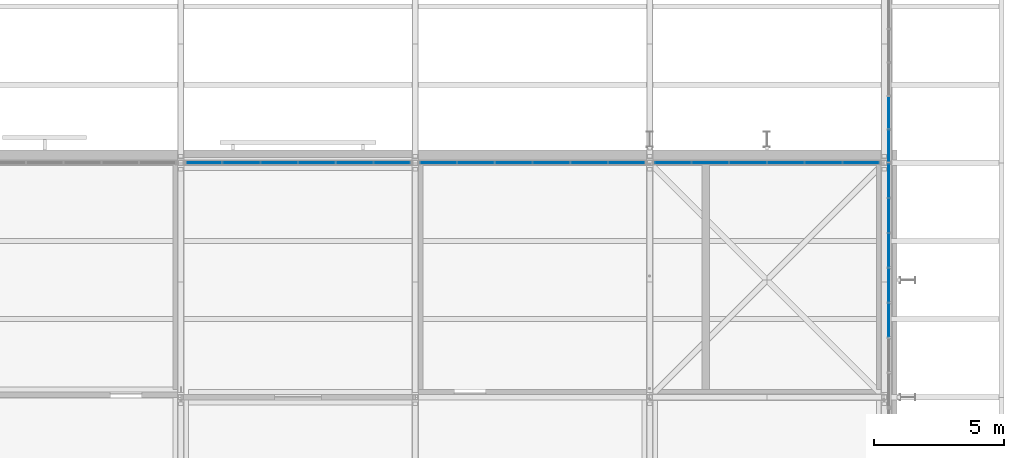
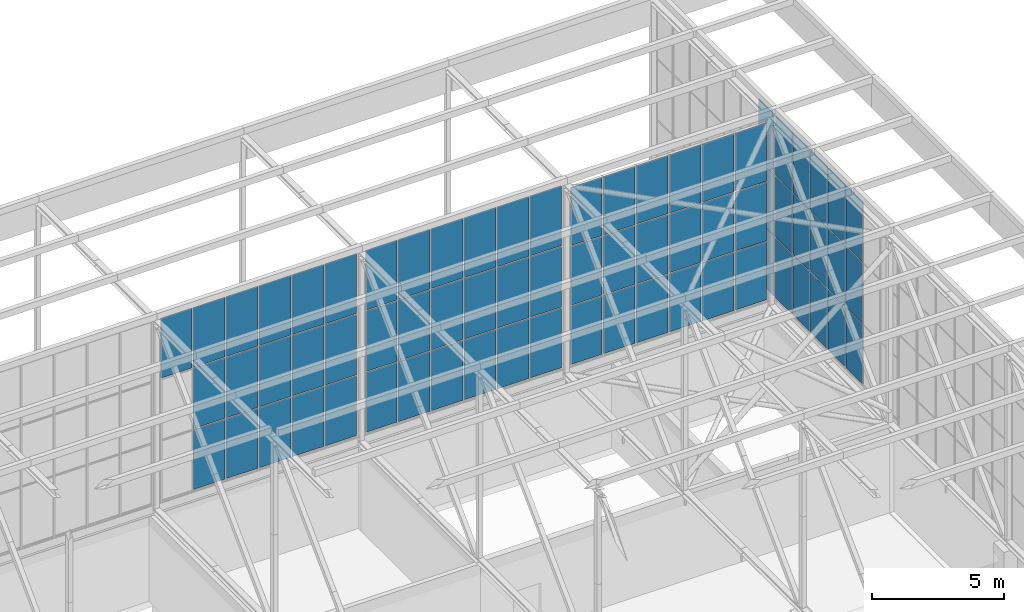
# One storey, part 163 of 646: 71 plates, 5 elements without a shape of their own.
"""IFC4 building model written with IfcOpenShell, lengths in metres."""

from ifc_helpers import new_model, si_unit, direction, frame, origin, origin_2d, place, context, subcontext, project, spatial, rectangle, extrude, material, layer, layer_set, type_object, element, aggregate, save


model = new_model("IFC4")

# Units and contexts
model_context = context("Model", 3, precision=1e-05, world=origin(), true_north=direction((0.0, 1.0)))
body_context = subcontext(model_context, "Body", "Model", "MODEL_VIEW")
ifc_project = project(units=[si_unit("LENGTHUNIT", "METRE"), si_unit("AREAUNIT", "SQUARE_METRE"), si_unit("VOLUMEUNIT", "CUBIC_METRE"), si_unit("PLANEANGLEUNIT", "RADIAN"), si_unit("MASSUNIT", "GRAM", prefix="KILO")], contexts=[model_context])

# Site, building, storey
site_placement = place(None, origin())
site = spatial("IfcSite", under=ifc_project, at=site_placement, CompositionType="ELEMENT")
building_placement = place(site_placement, origin())
building = spatial("IfcBuilding", under=site, at=building_placement, Name="Silverbay Arena", CompositionType="ELEMENT")
storey_placement = place(building_placement, frame((0.0, 0.0, 33.5)))
storey = spatial("IfcBuildingStorey", under=building, at=storey_placement, Name="L05", CompositionType="ELEMENT", Elevation=33.5)

# Curtain wall, plates
ifc_material_1 = material(Name="Aluminium framed glazing", Category="aluminium")
curtain_wall_type_1 = type_object("IfcCurtainWallType", Name="Curtain wall clerestory 8693 x 8540", PredefinedType="NOTDEFINED", material=ifc_material_1)
curtain_wall_1_placement = place(storey_placement, origin())
curtain_wall_1 = element("IfcCurtainWall", 1, at=curtain_wall_1_placement, inside=storey, type_object=curtain_wall_type_1, Name="ROOF CLERESTORY CURTAIN WALL north bay 15", PredefinedType="NOTDEFINED")
ifc_material_2 = material(Name="Laminated glass", Category="glass")
ifc_layer = layer(ifc_material_2, 0.028076171875)
ifc_layer_set = layer_set([ifc_layer], Name="Laminated glass")
plate_type = type_object("IfcPlateType", Name="Glass panel 28", PredefinedType="CURTAIN_PANEL", material=ifc_layer_set)
plate_1_placement = place(storey_placement, frame((180.89306640625, 144.0, 10.17822265625), z_axis=(0.0, 0.0, 1.0), x_axis=(1.0, 0.0, 0.0)))
plate_1 = element("IfcPlate", 2, at=plate_1_placement, type_object=plate_type, Name="CW55 panel 1.3", PredefinedType="CURTAIN_PANEL", context=body_context, shape_type="SweptSolid", body=[
    extrude(rectangle(XDim=1.35888671875, YDim=0.028076171875, at=origin_2d()), origin(), (0.0, 0.0, 1.0), 2.771728515625),
])
plate_2_placement = place(storey_placement, frame((182.326904296875, 144.0, 4.509765625), z_axis=(0.0, 0.0, 1.0), x_axis=(1.0, 0.0, 0.0)))
plate_2 = element("IfcPlate", 3, at=plate_2_placement, type_object=plate_type, Name="CW55 panel 2.1", PredefinedType="CURTAIN_PANEL", context=body_context, shape_type="SweptSolid", body=[
    extrude(rectangle(XDim=1.388671875, YDim=0.028076171875, at=origin_2d()), origin(), (0.0, 0.0, 1.0), 2.771728515625),
])
plate_3_placement = place(storey_placement, frame((182.326904296875, 144.0, 7.33154296875), z_axis=(0.0, 0.0, 1.0), x_axis=(1.0, 0.0, 0.0)))
plate_3 = element("IfcPlate", 4, at=plate_3_placement, type_object=plate_type, Name="CW55 panel 2.2", PredefinedType="CURTAIN_PANEL", context=body_context, shape_type="SweptSolid", body=[
    extrude(rectangle(XDim=1.388671875, YDim=0.028076171875, at=origin_2d()), origin(), (0.0, 0.0, 1.0), 2.796630859375),
])
plate_4_placement = place(storey_placement, frame((182.326904296875, 144.0, 10.17822265625), z_axis=(0.0, 0.0, 1.0), x_axis=(1.0, 0.0, 0.0)))
plate_4 = element("IfcPlate", 5, at=plate_4_placement, type_object=plate_type, Name="CW55 panel 2.3", PredefinedType="CURTAIN_PANEL", context=body_context, shape_type="SweptSolid", body=[
    extrude(rectangle(XDim=1.388671875, YDim=0.028076171875, at=origin_2d()), origin(), (0.0, 0.0, 1.0), 2.771728515625),
])
plate_5_placement = place(storey_placement, frame((183.775634765625, 144.0, 4.509765625), z_axis=(0.0, 0.0, 1.0), x_axis=(1.0, 0.0, 0.0)))
plate_5 = element("IfcPlate", 6, at=plate_5_placement, type_object=plate_type, Name="CW55 panel 3.1", PredefinedType="CURTAIN_PANEL", context=body_context, shape_type="SweptSolid", body=[
    extrude(rectangle(XDim=1.388671875, YDim=0.028076171875, at=origin_2d()), origin(), (0.0, 0.0, 1.0), 2.771728515625),
])
plate_6_placement = place(storey_placement, frame((183.775634765625, 144.0, 7.33154296875), z_axis=(0.0, 0.0, 1.0), x_axis=(1.0, 0.0, 0.0)))
plate_6 = element("IfcPlate", 7, at=plate_6_placement, type_object=plate_type, Name="CW55 panel 3.2", PredefinedType="CURTAIN_PANEL", context=body_context, shape_type="SweptSolid", body=[
    extrude(rectangle(XDim=1.388671875, YDim=0.028076171875, at=origin_2d()), origin(), (0.0, 0.0, 1.0), 2.796630859375),
])
plate_7_placement = place(storey_placement, frame((183.775634765625, 144.0, 10.17822265625), z_axis=(0.0, 0.0, 1.0), x_axis=(1.0, 0.0, 0.0)))
plate_7 = element("IfcPlate", 8, at=plate_7_placement, type_object=plate_type, Name="CW55 panel 3.3", PredefinedType="CURTAIN_PANEL", context=body_context, shape_type="SweptSolid", body=[
    extrude(rectangle(XDim=1.388671875, YDim=0.028076171875, at=origin_2d()), origin(), (0.0, 0.0, 1.0), 2.771728515625),
])
plate_8_placement = place(storey_placement, frame((185.224365234375, 144.0, 4.509765625), z_axis=(0.0, 0.0, 1.0), x_axis=(1.0, 0.0, 0.0)))
plate_8 = element("IfcPlate", 9, at=plate_8_placement, type_object=plate_type, Name="CW55 panel 4.1", PredefinedType="CURTAIN_PANEL", context=body_context, shape_type="SweptSolid", body=[
    extrude(rectangle(XDim=1.388671875, YDim=0.028076171875, at=origin_2d()), origin(), (0.0, 0.0, 1.0), 2.771728515625),
])
plate_9_placement = place(storey_placement, frame((185.224365234375, 144.0, 7.33154296875), z_axis=(0.0, 0.0, 1.0), x_axis=(1.0, 0.0, 0.0)))
plate_9 = element("IfcPlate", 10, at=plate_9_placement, type_object=plate_type, Name="CW55 panel 4.2", PredefinedType="CURTAIN_PANEL", context=body_context, shape_type="SweptSolid", body=[
    extrude(rectangle(XDim=1.388671875, YDim=0.028076171875, at=origin_2d()), origin(), (0.0, 0.0, 1.0), 2.796630859375),
])
plate_10_placement = place(storey_placement, frame((185.224365234375, 144.0, 10.17822265625), z_axis=(0.0, 0.0, 1.0), x_axis=(1.0, 0.0, 0.0)))
plate_10 = element("IfcPlate", 11, at=plate_10_placement, type_object=plate_type, Name="CW55 panel 4.3", PredefinedType="CURTAIN_PANEL", context=body_context, shape_type="SweptSolid", body=[
    extrude(rectangle(XDim=1.388671875, YDim=0.028076171875, at=origin_2d()), origin(), (0.0, 0.0, 1.0), 2.771728515625),
])
plate_11_placement = place(storey_placement, frame((186.673095703125, 144.0, 4.509765625), z_axis=(0.0, 0.0, 1.0), x_axis=(1.0, 0.0, 0.0)))
plate_11 = element("IfcPlate", 12, at=plate_11_placement, type_object=plate_type, Name="CW55 panel 5.1", PredefinedType="CURTAIN_PANEL", context=body_context, shape_type="SweptSolid", body=[
    extrude(rectangle(XDim=1.388671875, YDim=0.028076171875, at=origin_2d()), origin(), (0.0, 0.0, 1.0), 2.771728515625),
])
plate_12_placement = place(storey_placement, frame((186.673095703125, 144.0, 7.33154296875), z_axis=(0.0, 0.0, 1.0), x_axis=(1.0, 0.0, 0.0)))
plate_12 = element("IfcPlate", 13, at=plate_12_placement, type_object=plate_type, Name="CW55 panel 5.2", PredefinedType="CURTAIN_PANEL", context=body_context, shape_type="SweptSolid", body=[
    extrude(rectangle(XDim=1.388671875, YDim=0.028076171875, at=origin_2d()), origin(), (0.0, 0.0, 1.0), 2.796630859375),
])
plate_13_placement = place(storey_placement, frame((186.673095703125, 144.0, 10.17822265625), z_axis=(0.0, 0.0, 1.0), x_axis=(1.0, 0.0, 0.0)))
plate_13 = element("IfcPlate", 14, at=plate_13_placement, type_object=plate_type, Name="CW55 panel 5.3", PredefinedType="CURTAIN_PANEL", context=body_context, shape_type="SweptSolid", body=[
    extrude(rectangle(XDim=1.388671875, YDim=0.028076171875, at=origin_2d()), origin(), (0.0, 0.0, 1.0), 2.771728515625),
])
plate_14_placement = place(storey_placement, frame((188.10693359375, 144.0, 4.509765625), z_axis=(0.0, 0.0, 1.0), x_axis=(1.0, 0.0, 0.0)))
plate_14 = element("IfcPlate", 15, at=plate_14_placement, type_object=plate_type, Name="CW55 panel 6.1", PredefinedType="CURTAIN_PANEL", context=body_context, shape_type="SweptSolid", body=[
    extrude(rectangle(XDim=1.35888671875, YDim=0.028076171875, at=origin_2d()), origin(), (0.0, 0.0, 1.0), 2.771728515625),
])
plate_15_placement = place(storey_placement, frame((188.10693359375, 144.0, 7.33154296875), z_axis=(0.0, 0.0, 1.0), x_axis=(1.0, 0.0, 0.0)))
plate_15 = element("IfcPlate", 16, at=plate_15_placement, type_object=plate_type, Name="CW55 panel 6.2", PredefinedType="CURTAIN_PANEL", context=body_context, shape_type="SweptSolid", body=[
    extrude(rectangle(XDim=1.35888671875, YDim=0.028076171875, at=origin_2d()), origin(), (0.0, 0.0, 1.0), 2.796630859375),
])
plate_16_placement = place(storey_placement, frame((188.10693359375, 144.0, 10.17822265625), z_axis=(0.0, 0.0, 1.0), x_axis=(1.0, 0.0, 0.0)))
plate_16 = element("IfcPlate", 17, at=plate_16_placement, type_object=plate_type, Name="CW55 panel 6.3", PredefinedType="CURTAIN_PANEL", context=body_context, shape_type="SweptSolid", body=[
    extrude(rectangle(XDim=1.35888671875, YDim=0.028076171875, at=origin_2d()), origin(), (0.0, 0.0, 1.0), 2.771728515625),
])
aggregate(curtain_wall_1, [plate_1, plate_2, plate_3, plate_4, plate_5, plate_6, plate_7, plate_8, plate_9, plate_10, plate_11, plate_12, plate_13, plate_14, plate_15, plate_16])

curtain_wall_2_placement = place(storey_placement, origin())
curtain_wall_2 = element("IfcCurtainWall", 18, at=curtain_wall_2_placement, inside=storey, type_object=curtain_wall_type_1, Name="ROOF CLERESTORY CURTAIN WALL north bay 16", PredefinedType="NOTDEFINED")
plate_17_placement = place(storey_placement, frame((189.89306640625, 144.0, 4.509765625), z_axis=(0.0, 0.0, 1.0), x_axis=(1.0, 0.0, 0.0)))
plate_17 = element("IfcPlate", 19, at=plate_17_placement, type_object=plate_type, Name="CW55 panel 1.1", PredefinedType="CURTAIN_PANEL", context=body_context, shape_type="SweptSolid", body=[
    extrude(rectangle(XDim=1.35888671875, YDim=0.028076171875, at=origin_2d()), origin(), (0.0, 0.0, 1.0), 2.771728515625),
])
plate_18_placement = place(storey_placement, frame((189.89306640625, 144.0, 7.33154296875), z_axis=(0.0, 0.0, 1.0), x_axis=(1.0, 0.0, 0.0)))
plate_18 = element("IfcPlate", 20, at=plate_18_placement, type_object=plate_type, Name="CW55 panel 1.2", PredefinedType="CURTAIN_PANEL", context=body_context, shape_type="SweptSolid", body=[
    extrude(rectangle(XDim=1.35888671875, YDim=0.028076171875, at=origin_2d()), origin(), (0.0, 0.0, 1.0), 2.796630859375),
])
plate_19_placement = place(storey_placement, frame((189.89306640625, 144.0, 10.17822265625), z_axis=(0.0, 0.0, 1.0), x_axis=(1.0, 0.0, 0.0)))
plate_19 = element("IfcPlate", 21, at=plate_19_placement, type_object=plate_type, Name="CW55 panel 1.3", PredefinedType="CURTAIN_PANEL", context=body_context, shape_type="SweptSolid", body=[
    extrude(rectangle(XDim=1.35888671875, YDim=0.028076171875, at=origin_2d()), origin(), (0.0, 0.0, 1.0), 2.771728515625),
])
plate_20_placement = place(storey_placement, frame((191.326904296875, 144.0, 4.509765625), z_axis=(0.0, 0.0, 1.0), x_axis=(1.0, 0.0, 0.0)))
plate_20 = element("IfcPlate", 22, at=plate_20_placement, type_object=plate_type, Name="CW55 panel 2.1", PredefinedType="CURTAIN_PANEL", context=body_context, shape_type="SweptSolid", body=[
    extrude(rectangle(XDim=1.388671875, YDim=0.028076171875, at=origin_2d()), origin(), (0.0, 0.0, 1.0), 2.771728515625),
])
plate_21_placement = place(storey_placement, frame((191.326904296875, 144.0, 7.33154296875), z_axis=(0.0, 0.0, 1.0), x_axis=(1.0, 0.0, 0.0)))
plate_21 = element("IfcPlate", 23, at=plate_21_placement, type_object=plate_type, Name="CW55 panel 2.2", PredefinedType="CURTAIN_PANEL", context=body_context, shape_type="SweptSolid", body=[
    extrude(rectangle(XDim=1.388671875, YDim=0.028076171875, at=origin_2d()), origin(), (0.0, 0.0, 1.0), 2.796630859375),
])
plate_22_placement = place(storey_placement, frame((191.326904296875, 144.0, 10.17822265625), z_axis=(0.0, 0.0, 1.0), x_axis=(1.0, 0.0, 0.0)))
plate_22 = element("IfcPlate", 24, at=plate_22_placement, type_object=plate_type, Name="CW55 panel 2.3", PredefinedType="CURTAIN_PANEL", context=body_context, shape_type="SweptSolid", body=[
    extrude(rectangle(XDim=1.388671875, YDim=0.028076171875, at=origin_2d()), origin(), (0.0, 0.0, 1.0), 2.771728515625),
])
plate_23_placement = place(storey_placement, frame((192.775634765625, 144.0, 4.509765625), z_axis=(0.0, 0.0, 1.0), x_axis=(1.0, 0.0, 0.0)))
plate_23 = element("IfcPlate", 25, at=plate_23_placement, type_object=plate_type, Name="CW55 panel 3.1", PredefinedType="CURTAIN_PANEL", context=body_context, shape_type="SweptSolid", body=[
    extrude(rectangle(XDim=1.388671875, YDim=0.028076171875, at=origin_2d()), origin(), (0.0, 0.0, 1.0), 2.771728515625),
])
plate_24_placement = place(storey_placement, frame((192.775634765625, 144.0, 7.33154296875), z_axis=(0.0, 0.0, 1.0), x_axis=(1.0, 0.0, 0.0)))
plate_24 = element("IfcPlate", 26, at=plate_24_placement, type_object=plate_type, Name="CW55 panel 3.2", PredefinedType="CURTAIN_PANEL", context=body_context, shape_type="SweptSolid", body=[
    extrude(rectangle(XDim=1.388671875, YDim=0.028076171875, at=origin_2d()), origin(), (0.0, 0.0, 1.0), 2.796630859375),
])
plate_25_placement = place(storey_placement, frame((192.775634765625, 144.0, 10.17822265625), z_axis=(0.0, 0.0, 1.0), x_axis=(1.0, 0.0, 0.0)))
plate_25 = element("IfcPlate", 27, at=plate_25_placement, type_object=plate_type, Name="CW55 panel 3.3", PredefinedType="CURTAIN_PANEL", context=body_context, shape_type="SweptSolid", body=[
    extrude(rectangle(XDim=1.388671875, YDim=0.028076171875, at=origin_2d()), origin(), (0.0, 0.0, 1.0), 2.771728515625),
])
plate_26_placement = place(storey_placement, frame((194.224365234375, 144.0, 4.509765625), z_axis=(0.0, 0.0, 1.0), x_axis=(1.0, 0.0, 0.0)))
plate_26 = element("IfcPlate", 28, at=plate_26_placement, type_object=plate_type, Name="CW55 panel 4.1", PredefinedType="CURTAIN_PANEL", context=body_context, shape_type="SweptSolid", body=[
    extrude(rectangle(XDim=1.388671875, YDim=0.028076171875, at=origin_2d()), origin(), (0.0, 0.0, 1.0), 2.771728515625),
])
plate_27_placement = place(storey_placement, frame((194.224365234375, 144.0, 7.33154296875), z_axis=(0.0, 0.0, 1.0), x_axis=(1.0, 0.0, 0.0)))
plate_27 = element("IfcPlate", 29, at=plate_27_placement, type_object=plate_type, Name="CW55 panel 4.2", PredefinedType="CURTAIN_PANEL", context=body_context, shape_type="SweptSolid", body=[
    extrude(rectangle(XDim=1.388671875, YDim=0.028076171875, at=origin_2d()), origin(), (0.0, 0.0, 1.0), 2.796630859375),
])
plate_28_placement = place(storey_placement, frame((194.224365234375, 144.0, 10.17822265625), z_axis=(0.0, 0.0, 1.0), x_axis=(1.0, 0.0, 0.0)))
plate_28 = element("IfcPlate", 30, at=plate_28_placement, type_object=plate_type, Name="CW55 panel 4.3", PredefinedType="CURTAIN_PANEL", context=body_context, shape_type="SweptSolid", body=[
    extrude(rectangle(XDim=1.388671875, YDim=0.028076171875, at=origin_2d()), origin(), (0.0, 0.0, 1.0), 2.771728515625),
])
plate_29_placement = place(storey_placement, frame((195.673095703125, 144.0, 4.509765625), z_axis=(0.0, 0.0, 1.0), x_axis=(1.0, 0.0, 0.0)))
plate_29 = element("IfcPlate", 31, at=plate_29_placement, type_object=plate_type, Name="CW55 panel 5.1", PredefinedType="CURTAIN_PANEL", context=body_context, shape_type="SweptSolid", body=[
    extrude(rectangle(XDim=1.388671875, YDim=0.028076171875, at=origin_2d()), origin(), (0.0, 0.0, 1.0), 2.771728515625),
])
plate_30_placement = place(storey_placement, frame((195.673095703125, 144.0, 7.33154296875), z_axis=(0.0, 0.0, 1.0), x_axis=(1.0, 0.0, 0.0)))
plate_30 = element("IfcPlate", 32, at=plate_30_placement, type_object=plate_type, Name="CW55 panel 5.2", PredefinedType="CURTAIN_PANEL", context=body_context, shape_type="SweptSolid", body=[
    extrude(rectangle(XDim=1.388671875, YDim=0.028076171875, at=origin_2d()), origin(), (0.0, 0.0, 1.0), 2.796630859375),
])
plate_31_placement = place(storey_placement, frame((195.673095703125, 144.0, 10.17822265625), z_axis=(0.0, 0.0, 1.0), x_axis=(1.0, 0.0, 0.0)))
plate_31 = element("IfcPlate", 33, at=plate_31_placement, type_object=plate_type, Name="CW55 panel 5.3", PredefinedType="CURTAIN_PANEL", context=body_context, shape_type="SweptSolid", body=[
    extrude(rectangle(XDim=1.388671875, YDim=0.028076171875, at=origin_2d()), origin(), (0.0, 0.0, 1.0), 2.771728515625),
])
plate_32_placement = place(storey_placement, frame((197.10693359375, 144.0, 4.509765625), z_axis=(0.0, 0.0, 1.0), x_axis=(1.0, 0.0, 0.0)))
plate_32 = element("IfcPlate", 34, at=plate_32_placement, type_object=plate_type, Name="CW55 panel 6.1", PredefinedType="CURTAIN_PANEL", context=body_context, shape_type="SweptSolid", body=[
    extrude(rectangle(XDim=1.35888671875, YDim=0.028076171875, at=origin_2d()), origin(), (0.0, 0.0, 1.0), 2.771728515625),
])
plate_33_placement = place(storey_placement, frame((197.10693359375, 144.0, 7.33154296875), z_axis=(0.0, 0.0, 1.0), x_axis=(1.0, 0.0, 0.0)))
plate_33 = element("IfcPlate", 35, at=plate_33_placement, type_object=plate_type, Name="CW55 panel 6.2", PredefinedType="CURTAIN_PANEL", context=body_context, shape_type="SweptSolid", body=[
    extrude(rectangle(XDim=1.35888671875, YDim=0.028076171875, at=origin_2d()), origin(), (0.0, 0.0, 1.0), 2.796630859375),
])
plate_34_placement = place(storey_placement, frame((197.10693359375, 144.0, 10.17822265625), z_axis=(0.0, 0.0, 1.0), x_axis=(1.0, 0.0, 0.0)))
plate_34 = element("IfcPlate", 36, at=plate_34_placement, type_object=plate_type, Name="CW55 panel 6.3", PredefinedType="CURTAIN_PANEL", context=body_context, shape_type="SweptSolid", body=[
    extrude(rectangle(XDim=1.35888671875, YDim=0.028076171875, at=origin_2d()), origin(), (0.0, 0.0, 1.0), 2.771728515625),
])
aggregate(curtain_wall_2, [plate_17, plate_18, plate_19, plate_20, plate_21, plate_22, plate_23, plate_24, plate_25, plate_26, plate_27, plate_28, plate_29, plate_30, plate_31, plate_32, plate_33, plate_34])

ifc_material_3 = material(Name="Aluminium framed glazing", Category="aluminium")
curtain_wall_type_2 = type_object("IfcCurtainWallType", Name="Curtain wall clerestory 8693 x 8303", PredefinedType="NOTDEFINED", material=ifc_material_3)
curtain_wall_3_placement = place(storey_placement, origin())
curtain_wall_3 = element("IfcCurtainWall", 37, at=curtain_wall_3_placement, inside=storey, type_object=curtain_wall_type_2, Name="ROOF CLERESTORY CURTAIN WALL north bay 17", PredefinedType="NOTDEFINED")
plate_35_placement = place(storey_placement, frame((198.89306640625, 144.0, 4.510009765625), z_axis=(0.0, 0.0, 1.0), x_axis=(1.0, 0.0, 0.0)))
plate_35 = element("IfcPlate", 38, at=plate_35_placement, type_object=plate_type, Name="CW54 panel 1.1", PredefinedType="CURTAIN_PANEL", context=body_context, shape_type="SweptSolid", body=[
    extrude(rectangle(XDim=1.35888671875, YDim=0.028076171875, at=origin_2d()), origin(), (0.0, 0.0, 1.0), 2.69287109375),
])
plate_36_placement = place(storey_placement, frame((198.89306640625, 144.0, 7.2529296875), z_axis=(0.0, 0.0, 1.0), x_axis=(1.0, 0.0, 0.0)))
plate_36 = element("IfcPlate", 39, at=plate_36_placement, type_object=plate_type, Name="CW54 panel 1.2", PredefinedType="CURTAIN_PANEL", context=body_context, shape_type="SweptSolid", body=[
    extrude(rectangle(XDim=1.35888671875, YDim=0.028076171875, at=origin_2d()), origin(), (0.0, 0.0, 1.0), 2.7177734375),
])
plate_37_placement = place(storey_placement, frame((198.89306640625, 144.0, 10.0205078125), z_axis=(0.0, 0.0, 1.0), x_axis=(1.0, 0.0, 0.0)))
plate_37 = element("IfcPlate", 40, at=plate_37_placement, type_object=plate_type, Name="CW54 panel 1.3", PredefinedType="CURTAIN_PANEL", context=body_context, shape_type="SweptSolid", body=[
    extrude(rectangle(XDim=1.35888671875, YDim=0.028076171875, at=origin_2d()), origin(), (0.0, 0.0, 1.0), 2.69287109375),
])
plate_38_placement = place(storey_placement, frame((200.326904296875, 144.0, 4.510009765625), z_axis=(0.0, 0.0, 1.0), x_axis=(1.0, 0.0, 0.0)))
plate_38 = element("IfcPlate", 41, at=plate_38_placement, type_object=plate_type, Name="CW54 panel 2.1", PredefinedType="CURTAIN_PANEL", context=body_context, shape_type="SweptSolid", body=[
    extrude(rectangle(XDim=1.388671875, YDim=0.028076171875, at=origin_2d()), origin(), (0.0, 0.0, 1.0), 2.69287109375),
])
plate_39_placement = place(storey_placement, frame((200.326904296875, 144.0, 7.2529296875), z_axis=(0.0, 0.0, 1.0), x_axis=(1.0, 0.0, 0.0)))
plate_39 = element("IfcPlate", 42, at=plate_39_placement, type_object=plate_type, Name="CW54 panel 2.2", PredefinedType="CURTAIN_PANEL", context=body_context, shape_type="SweptSolid", body=[
    extrude(rectangle(XDim=1.388671875, YDim=0.028076171875, at=origin_2d()), origin(), (0.0, 0.0, 1.0), 2.7177734375),
])
plate_40_placement = place(storey_placement, frame((200.326904296875, 144.0, 10.0205078125), z_axis=(0.0, 0.0, 1.0), x_axis=(1.0, 0.0, 0.0)))
plate_40 = element("IfcPlate", 43, at=plate_40_placement, type_object=plate_type, Name="CW54 panel 2.3", PredefinedType="CURTAIN_PANEL", context=body_context, shape_type="SweptSolid", body=[
    extrude(rectangle(XDim=1.388671875, YDim=0.028076171875, at=origin_2d()), origin(), (0.0, 0.0, 1.0), 2.69287109375),
])
plate_41_placement = place(storey_placement, frame((201.775634765625, 144.0, 4.510009765625), z_axis=(0.0, 0.0, 1.0), x_axis=(1.0, 0.0, 0.0)))
plate_41 = element("IfcPlate", 44, at=plate_41_placement, type_object=plate_type, Name="CW54 panel 3.1", PredefinedType="CURTAIN_PANEL", context=body_context, shape_type="SweptSolid", body=[
    extrude(rectangle(XDim=1.388671875, YDim=0.028076171875, at=origin_2d()), origin(), (0.0, 0.0, 1.0), 2.69287109375),
])
plate_42_placement = place(storey_placement, frame((201.775634765625, 144.0, 7.2529296875), z_axis=(0.0, 0.0, 1.0), x_axis=(1.0, 0.0, 0.0)))
plate_42 = element("IfcPlate", 45, at=plate_42_placement, type_object=plate_type, Name="CW54 panel 3.2", PredefinedType="CURTAIN_PANEL", context=body_context, shape_type="SweptSolid", body=[
    extrude(rectangle(XDim=1.388671875, YDim=0.028076171875, at=origin_2d()), origin(), (0.0, 0.0, 1.0), 2.7177734375),
])
plate_43_placement = place(storey_placement, frame((201.775634765625, 144.0, 10.0205078125), z_axis=(0.0, 0.0, 1.0), x_axis=(1.0, 0.0, 0.0)))
plate_43 = element("IfcPlate", 46, at=plate_43_placement, type_object=plate_type, Name="CW54 panel 3.3", PredefinedType="CURTAIN_PANEL", context=body_context, shape_type="SweptSolid", body=[
    extrude(rectangle(XDim=1.388671875, YDim=0.028076171875, at=origin_2d()), origin(), (0.0, 0.0, 1.0), 2.69287109375),
])
plate_44_placement = place(storey_placement, frame((203.224365234375, 144.0, 4.510009765625), z_axis=(0.0, 0.0, 1.0), x_axis=(1.0, 0.0, 0.0)))
plate_44 = element("IfcPlate", 47, at=plate_44_placement, type_object=plate_type, Name="CW54 panel 4.1", PredefinedType="CURTAIN_PANEL", context=body_context, shape_type="SweptSolid", body=[
    extrude(rectangle(XDim=1.388671875, YDim=0.028076171875, at=origin_2d()), origin(), (0.0, 0.0, 1.0), 2.69287109375),
])
plate_45_placement = place(storey_placement, frame((203.224365234375, 144.0, 7.2529296875), z_axis=(0.0, 0.0, 1.0), x_axis=(1.0, 0.0, 0.0)))
plate_45 = element("IfcPlate", 48, at=plate_45_placement, type_object=plate_type, Name="CW54 panel 4.2", PredefinedType="CURTAIN_PANEL", context=body_context, shape_type="SweptSolid", body=[
    extrude(rectangle(XDim=1.388671875, YDim=0.028076171875, at=origin_2d()), origin(), (0.0, 0.0, 1.0), 2.7177734375),
])
plate_46_placement = place(storey_placement, frame((203.224365234375, 144.0, 10.0205078125), z_axis=(0.0, 0.0, 1.0), x_axis=(1.0, 0.0, 0.0)))
plate_46 = element("IfcPlate", 49, at=plate_46_placement, type_object=plate_type, Name="CW54 panel 4.3", PredefinedType="CURTAIN_PANEL", context=body_context, shape_type="SweptSolid", body=[
    extrude(rectangle(XDim=1.388671875, YDim=0.028076171875, at=origin_2d()), origin(), (0.0, 0.0, 1.0), 2.69287109375),
])
plate_47_placement = place(storey_placement, frame((204.673095703125, 144.0, 4.510009765625), z_axis=(0.0, 0.0, 1.0), x_axis=(1.0, 0.0, 0.0)))
plate_47 = element("IfcPlate", 50, at=plate_47_placement, type_object=plate_type, Name="CW54 panel 5.1", PredefinedType="CURTAIN_PANEL", context=body_context, shape_type="SweptSolid", body=[
    extrude(rectangle(XDim=1.388671875, YDim=0.028076171875, at=origin_2d()), origin(), (0.0, 0.0, 1.0), 2.69287109375),
])
plate_48_placement = place(storey_placement, frame((204.673095703125, 144.0, 7.2529296875), z_axis=(0.0, 0.0, 1.0), x_axis=(1.0, 0.0, 0.0)))
plate_48 = element("IfcPlate", 51, at=plate_48_placement, type_object=plate_type, Name="CW54 panel 5.2", PredefinedType="CURTAIN_PANEL", context=body_context, shape_type="SweptSolid", body=[
    extrude(rectangle(XDim=1.388671875, YDim=0.028076171875, at=origin_2d()), origin(), (0.0, 0.0, 1.0), 2.7177734375),
])
plate_49_placement = place(storey_placement, frame((204.673095703125, 144.0, 10.0205078125), z_axis=(0.0, 0.0, 1.0), x_axis=(1.0, 0.0, 0.0)))
plate_49 = element("IfcPlate", 52, at=plate_49_placement, type_object=plate_type, Name="CW54 panel 5.3", PredefinedType="CURTAIN_PANEL", context=body_context, shape_type="SweptSolid", body=[
    extrude(rectangle(XDim=1.388671875, YDim=0.028076171875, at=origin_2d()), origin(), (0.0, 0.0, 1.0), 2.69287109375),
])
plate_50_placement = place(storey_placement, frame((206.10693359375, 144.0, 4.510009765625), z_axis=(0.0, 0.0, 1.0), x_axis=(1.0, 0.0, 0.0)))
plate_50 = element("IfcPlate", 53, at=plate_50_placement, type_object=plate_type, Name="CW54 panel 6.1", PredefinedType="CURTAIN_PANEL", context=body_context, shape_type="SweptSolid", body=[
    extrude(rectangle(XDim=1.35888671875, YDim=0.028076171875, at=origin_2d()), origin(), (0.0, 0.0, 1.0), 2.69287109375),
])
plate_51_placement = place(storey_placement, frame((206.10693359375, 144.0, 7.2529296875), z_axis=(0.0, 0.0, 1.0), x_axis=(1.0, 0.0, 0.0)))
plate_51 = element("IfcPlate", 54, at=plate_51_placement, type_object=plate_type, Name="CW54 panel 6.2", PredefinedType="CURTAIN_PANEL", context=body_context, shape_type="SweptSolid", body=[
    extrude(rectangle(XDim=1.35888671875, YDim=0.028076171875, at=origin_2d()), origin(), (0.0, 0.0, 1.0), 2.7177734375),
])
plate_52_placement = place(storey_placement, frame((206.10693359375, 144.0, 10.0205078125), z_axis=(0.0, 0.0, 1.0), x_axis=(1.0, 0.0, 0.0)))
plate_52 = element("IfcPlate", 55, at=plate_52_placement, type_object=plate_type, Name="CW54 panel 6.3", PredefinedType="CURTAIN_PANEL", context=body_context, shape_type="SweptSolid", body=[
    extrude(rectangle(XDim=1.35888671875, YDim=0.028076171875, at=origin_2d()), origin(), (0.0, 0.0, 1.0), 2.69287109375),
])
aggregate(curtain_wall_3, [plate_35, plate_36, plate_37, plate_38, plate_39, plate_40, plate_41, plate_42, plate_43, plate_44, plate_45, plate_46, plate_47, plate_48, plate_49, plate_50, plate_51, plate_52])

ifc_material_4 = material(Name="Aluminium framed glazing", Category="aluminium")
curtain_wall_type_3 = type_object("IfcCurtainWallType", Name="Curtain wall clerestory 9400 x 8547", PredefinedType="NOTDEFINED", material=ifc_material_4)
curtain_wall_4_placement = place(storey_placement, origin())
curtain_wall_4 = element("IfcCurtainWall", 56, at=curtain_wall_4_placement, inside=storey, type_object=curtain_wall_type_3, Name="ROOF GABLE CLERESTORY CURTAIN WALL east bay 15", PredefinedType="NOTDEFINED")
plate_53_placement = place(storey_placement, frame((207.179931640625, 137.95703125, 4.50341796875), z_axis=(0.0, 0.0, 1.0), x_axis=(0.0, 1.0, 0.0)))
plate_53 = element("IfcPlate", 57, at=plate_53_placement, type_object=plate_type, Name="CW58 panel 3.1", PredefinedType="CURTAIN_PANEL", context=body_context, shape_type="SweptSolid", body=[
    extrude(rectangle(XDim=1.282958984375, YDim=0.028076171875, at=origin_2d()), origin(), (0.0, 0.0, 1.0), 2.77392578125),
])
plate_54_placement = place(storey_placement, frame((207.179931640625, 137.95703125, 7.327392578125), z_axis=(0.0, 0.0, 1.0), x_axis=(0.0, 1.0, 0.0)))
plate_54 = element("IfcPlate", 58, at=plate_54_placement, type_object=plate_type, Name="CW58 panel 3.2", PredefinedType="CURTAIN_PANEL", context=body_context, shape_type="SweptSolid", body=[
    extrude(rectangle(XDim=1.282958984375, YDim=0.028076171875, at=origin_2d()), origin(), (0.0, 0.0, 1.0), 2.798828125),
])
plate_55_placement = place(storey_placement, frame((207.179931640625, 137.95703125, 10.176025390625), z_axis=(0.0, 0.0, 1.0), x_axis=(0.0, 1.0, 0.0)))
plate_55 = element("IfcPlate", 59, at=plate_55_placement, type_object=plate_type, Name="CW58 panel 3.3", PredefinedType="CURTAIN_PANEL", context=body_context, shape_type="SweptSolid", body=[
    extrude(rectangle(XDim=1.282958984375, YDim=0.028076171875, at=origin_2d()), origin(), (0.0, 0.0, 1.0), 2.77392578125),
])
plate_56_placement = place(storey_placement, frame((207.179931640625, 139.300048828125, 4.50341796875), z_axis=(0.0, 0.0, 1.0), x_axis=(0.0, 1.0, 0.0)))
plate_56 = element("IfcPlate", 60, at=plate_56_placement, type_object=plate_type, Name="CW58 panel 4.1", PredefinedType="CURTAIN_PANEL", context=body_context, shape_type="SweptSolid", body=[
    extrude(rectangle(XDim=1.282958984375, YDim=0.028076171875, at=origin_2d()), origin(), (0.0, 0.0, 1.0), 2.77392578125),
])
plate_57_placement = place(storey_placement, frame((207.179931640625, 139.300048828125, 7.327392578125), z_axis=(0.0, 0.0, 1.0), x_axis=(0.0, 1.0, 0.0)))
plate_57 = element("IfcPlate", 61, at=plate_57_placement, type_object=plate_type, Name="CW58 panel 4.2", PredefinedType="CURTAIN_PANEL", context=body_context, shape_type="SweptSolid", body=[
    extrude(rectangle(XDim=1.282958984375, YDim=0.028076171875, at=origin_2d()), origin(), (0.0, 0.0, 1.0), 2.798828125),
])
plate_58_placement = place(storey_placement, frame((207.179931640625, 139.300048828125, 10.176025390625), z_axis=(0.0, 0.0, 1.0), x_axis=(0.0, 1.0, 0.0)))
plate_58 = element("IfcPlate", 62, at=plate_58_placement, type_object=plate_type, Name="CW58 panel 4.3", PredefinedType="CURTAIN_PANEL", context=body_context, shape_type="SweptSolid", body=[
    extrude(rectangle(XDim=1.282958984375, YDim=0.028076171875, at=origin_2d()), origin(), (0.0, 0.0, 1.0), 2.77392578125),
])
plate_59_placement = place(storey_placement, frame((207.179931640625, 140.642822265625, 4.50341796875), z_axis=(0.0, 0.0, 1.0), x_axis=(0.0, 1.0, 0.0)))
plate_59 = element("IfcPlate", 63, at=plate_59_placement, type_object=plate_type, Name="CW58 panel 5.1", PredefinedType="CURTAIN_PANEL", context=body_context, shape_type="SweptSolid", body=[
    extrude(rectangle(XDim=1.282958984375, YDim=0.028076171875, at=origin_2d()), origin(), (0.0, 0.0, 1.0), 2.77392578125),
])
plate_60_placement = place(storey_placement, frame((207.179931640625, 140.642822265625, 7.327392578125), z_axis=(0.0, 0.0, 1.0), x_axis=(0.0, 1.0, 0.0)))
plate_60 = element("IfcPlate", 64, at=plate_60_placement, type_object=plate_type, Name="CW58 panel 5.2", PredefinedType="CURTAIN_PANEL", context=body_context, shape_type="SweptSolid", body=[
    extrude(rectangle(XDim=1.282958984375, YDim=0.028076171875, at=origin_2d()), origin(), (0.0, 0.0, 1.0), 2.798828125),
])
plate_61_placement = place(storey_placement, frame((207.179931640625, 140.642822265625, 10.176025390625), z_axis=(0.0, 0.0, 1.0), x_axis=(0.0, 1.0, 0.0)))
plate_61 = element("IfcPlate", 65, at=plate_61_placement, type_object=plate_type, Name="CW58 panel 5.3", PredefinedType="CURTAIN_PANEL", context=body_context, shape_type="SweptSolid", body=[
    extrude(rectangle(XDim=1.282958984375, YDim=0.028076171875, at=origin_2d()), origin(), (0.0, 0.0, 1.0), 2.77392578125),
])
plate_62_placement = place(storey_placement, frame((207.179931640625, 141.985595703125, 4.50341796875), z_axis=(0.0, 0.0, 1.0), x_axis=(0.0, 1.0, 0.0)))
plate_62 = element("IfcPlate", 66, at=plate_62_placement, type_object=plate_type, Name="CW58 panel 6.1", PredefinedType="CURTAIN_PANEL", context=body_context, shape_type="SweptSolid", body=[
    extrude(rectangle(XDim=1.282958984375, YDim=0.028076171875, at=origin_2d()), origin(), (0.0, 0.0, 1.0), 2.77392578125),
])
plate_63_placement = place(storey_placement, frame((207.179931640625, 141.985595703125, 7.327392578125), z_axis=(0.0, 0.0, 1.0), x_axis=(0.0, 1.0, 0.0)))
plate_63 = element("IfcPlate", 67, at=plate_63_placement, type_object=plate_type, Name="CW58 panel 6.2", PredefinedType="CURTAIN_PANEL", context=body_context, shape_type="SweptSolid", body=[
    extrude(rectangle(XDim=1.282958984375, YDim=0.028076171875, at=origin_2d()), origin(), (0.0, 0.0, 1.0), 2.798828125),
])
plate_64_placement = place(storey_placement, frame((207.179931640625, 141.985595703125, 10.176025390625), z_axis=(0.0, 0.0, 1.0), x_axis=(0.0, 1.0, 0.0)))
plate_64 = element("IfcPlate", 68, at=plate_64_placement, type_object=plate_type, Name="CW58 panel 6.3", PredefinedType="CURTAIN_PANEL", context=body_context, shape_type="SweptSolid", body=[
    extrude(rectangle(XDim=1.282958984375, YDim=0.028076171875, at=origin_2d()), origin(), (0.0, 0.0, 1.0), 2.77392578125),
])
plate_65_placement = place(storey_placement, frame((207.179931640625, 143.3134765625, 4.50341796875), z_axis=(0.0, 0.0, 1.0), x_axis=(0.0, 1.0, 0.0)))
plate_65 = element("IfcPlate", 69, at=plate_65_placement, type_object=plate_type, Name="CW58 panel 7.1", PredefinedType="CURTAIN_PANEL", context=body_context, shape_type="SweptSolid", body=[
    extrude(rectangle(XDim=1.2529296875, YDim=0.028076171875, at=origin_2d()), origin(), (0.0, 0.0, 1.0), 2.77392578125),
])
plate_66_placement = place(storey_placement, frame((207.179931640625, 143.3134765625, 7.327392578125), z_axis=(0.0, 0.0, 1.0), x_axis=(0.0, 1.0, 0.0)))
plate_66 = element("IfcPlate", 70, at=plate_66_placement, type_object=plate_type, Name="CW58 panel 7.2", PredefinedType="CURTAIN_PANEL", context=body_context, shape_type="SweptSolid", body=[
    extrude(rectangle(XDim=1.2529296875, YDim=0.028076171875, at=origin_2d()), origin(), (0.0, 0.0, 1.0), 2.798828125),
])
plate_67_placement = place(storey_placement, frame((207.179931640625, 143.3134765625, 10.176025390625), z_axis=(0.0, 0.0, 1.0), x_axis=(0.0, 1.0, 0.0)))
plate_67 = element("IfcPlate", 71, at=plate_67_placement, type_object=plate_type, Name="CW58 panel 7.3", PredefinedType="CURTAIN_PANEL", context=body_context, shape_type="SweptSolid", body=[
    extrude(rectangle(XDim=1.2529296875, YDim=0.028076171875, at=origin_2d()), origin(), (0.0, 0.0, 1.0), 2.77392578125),
])
aggregate(curtain_wall_4, [plate_53, plate_54, plate_55, plate_56, plate_57, plate_58, plate_59, plate_60, plate_61, plate_62, plate_63, plate_64, plate_65, plate_66, plate_67])

ifc_material_5 = material(Name="Aluminium framed glazing", Category="aluminium")
curtain_wall_type_4 = type_object("IfcCurtainWallType", Name="Curtain wall clerestory 9000 x 8547", PredefinedType="NOTDEFINED", material=ifc_material_5)
curtain_wall_5_placement = place(storey_placement, origin())
curtain_wall_5 = element("IfcCurtainWall", 72, at=curtain_wall_5_placement, inside=storey, type_object=curtain_wall_type_4, Name="ROOF GABLE CLERESTORY CURTAIN WALL east bay 16", PredefinedType="NOTDEFINED")
plate_68_placement = place(storey_placement, frame((207.179931640625, 144.657958984375, 4.50341796875), z_axis=(0.0, 0.0, 1.0), x_axis=(0.0, 1.0, 0.0)))
plate_68 = element("IfcPlate", 73, at=plate_68_placement, type_object=plate_type, Name="CW57 panel 1.1", PredefinedType="CURTAIN_PANEL", context=body_context, shape_type="SweptSolid", body=[
    extrude(rectangle(XDim=1.19580078125, YDim=0.028076171875, at=origin_2d()), origin(), (0.0, 0.0, 1.0), 2.77392578125),
])
plate_69_placement = place(storey_placement, frame((207.179931640625, 144.657958984375, 7.327392578125), z_axis=(0.0, 0.0, 1.0), x_axis=(0.0, 1.0, 0.0)))
plate_69 = element("IfcPlate", 74, at=plate_69_placement, type_object=plate_type, Name="CW57 panel 1.2", PredefinedType="CURTAIN_PANEL", context=body_context, shape_type="SweptSolid", body=[
    extrude(rectangle(XDim=1.19580078125, YDim=0.028076171875, at=origin_2d()), origin(), (0.0, 0.0, 1.0), 2.798828125),
])
plate_70_placement = place(storey_placement, frame((207.179931640625, 144.657958984375, 10.176025390625), z_axis=(0.0, 0.0, 1.0), x_axis=(0.0, 1.0, 0.0)))
plate_70 = element("IfcPlate", 75, at=plate_70_placement, type_object=plate_type, Name="CW57 panel 1.3", PredefinedType="CURTAIN_PANEL", context=body_context, shape_type="SweptSolid", body=[
    extrude(rectangle(XDim=1.19580078125, YDim=0.028076171875, at=origin_2d()), origin(), (0.0, 0.0, 1.0), 2.77392578125),
])
plate_71_placement = place(storey_placement, frame((207.179931640625, 145.928466796875, 4.50341796875), z_axis=(0.0, 0.0, 1.0), x_axis=(0.0, 1.0, 0.0)))
plate_71 = element("IfcPlate", 76, at=plate_71_placement, type_object=plate_type, Name="CW57 panel 2.1", PredefinedType="CURTAIN_PANEL", context=body_context, shape_type="SweptSolid", body=[
    extrude(rectangle(XDim=1.225830078125, YDim=0.028076171875, at=origin_2d()), origin(), (0.0, 0.0, 1.0), 2.77392578125),
])
aggregate(curtain_wall_5, [plate_68, plate_69, plate_70, plate_71])

save(model, "model.ifc")
